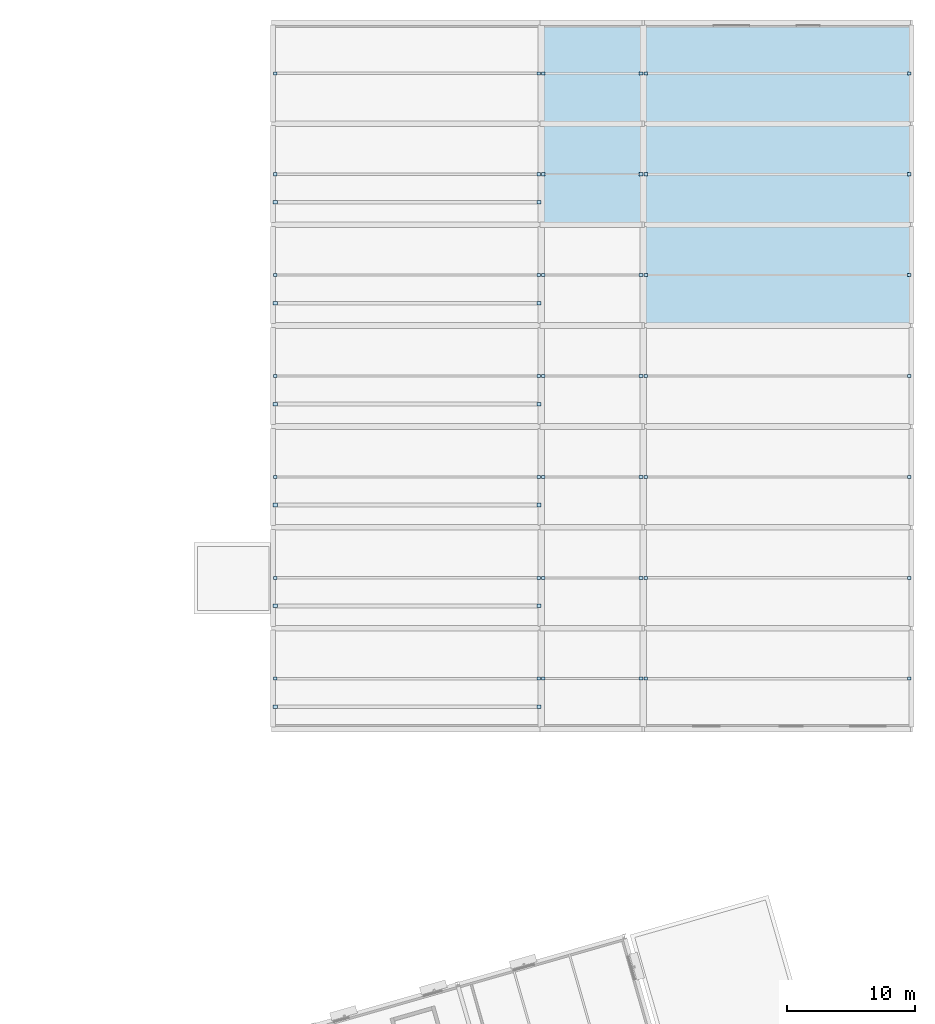
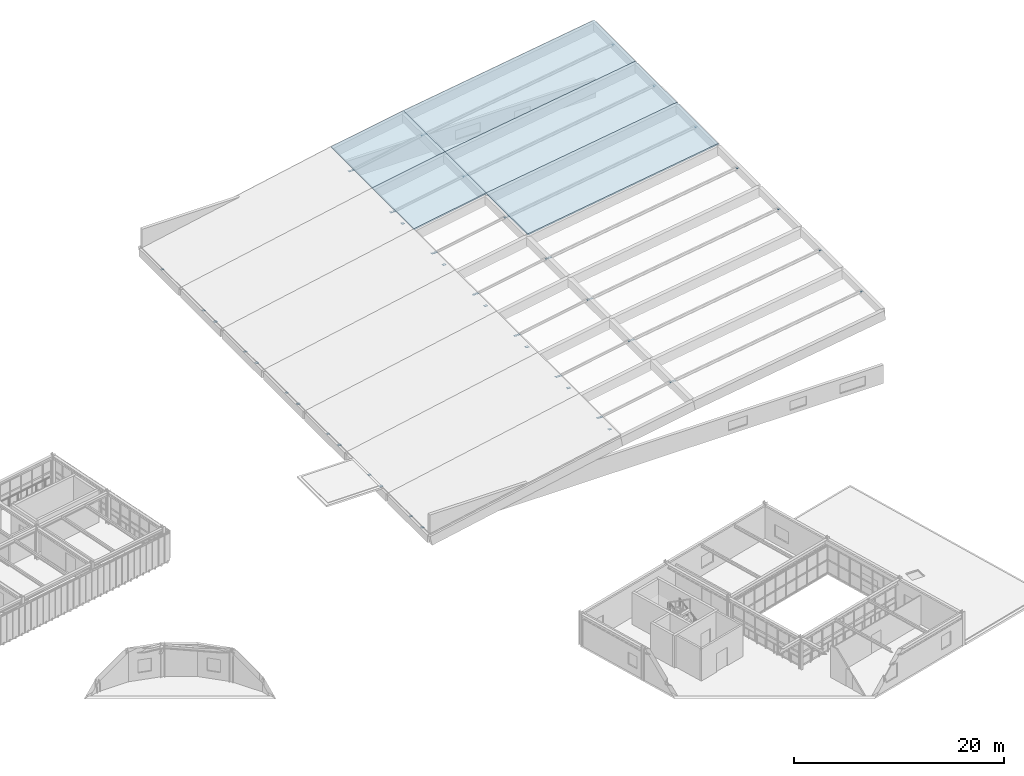
# One storey, part 25 of 44: 54 plates, 5 slabs.
"""IFC4 building model written with IfcOpenShell, lengths in metres."""

from ifc_helpers import new_model, si_unit, direction, frame, origin, origin_2d, place, context, subcontext, project, spatial, polyline, rectangle, outline, extrude, material, layer, layer_set, type_object, element, save


model = new_model("IFC4")

# Units and contexts
model_context = context("Model", 3, precision=1e-05, world=origin(), true_north=direction((0.0, 1.0)))
body_context = subcontext(model_context, "Body", "Model", "MODEL_VIEW")
ifc_project = project(units=[si_unit("LENGTHUNIT", "METRE"), si_unit("AREAUNIT", "SQUARE_METRE"), si_unit("VOLUMEUNIT", "CUBIC_METRE"), si_unit("PLANEANGLEUNIT", "RADIAN"), si_unit("MASSUNIT", "GRAM", prefix="KILO")], contexts=[model_context])

# Site, building, storey
site_placement = place(None, origin())
site = spatial("IfcSite", under=ifc_project, at=site_placement, CompositionType="ELEMENT")
building_placement = place(site_placement, origin())
building = spatial("IfcBuilding", under=site, at=building_placement, Name="Varnklinge Art Gallery", CompositionType="ELEMENT")
storey_placement = place(building_placement, frame((0.0, 0.0, 13.679931640625)))
storey = spatial("IfcBuildingStorey", under=building, at=storey_placement, Name="L03", CompositionType="ELEMENT", Elevation=13.679931640625)

# Plates
ifc_material_1 = material(Name="Steel S355", Category="steel")
ifc_layer_1 = layer(ifc_material_1, 0.02001953125)
ifc_layer_set_1 = layer_set([ifc_layer_1], Name="Steel S355")
plate_type = type_object("IfcPlateType", Name="PLT-GP1", PredefinedType="USERDEFINED", material=ifc_layer_set_1)
for number, where, z_axis, x_axis, name in (
    (1, (114.580078125, 62.14990234375, -0.3798828125), (0.0, 0.0, 1.0), (1.0, 0.0, 0.0), "Shell Rafter End Cleat Plate 1.1.A"),
    (2, (135.219970703125, 62.14990234375, 3.820068359375), (0.0, 0.0, 1.0), (1.0, 0.0, 0.0), "Shell Rafter End Cleat Plate 1.1.B"),
    (3, (114.580078125, 70.050048828125, -0.3798828125), (0.0, 0.0, 1.0), (1.0, 0.0, 0.0), "Shell Rafter End Cleat Plate 2.1.A"),
    (4, (135.219970703125, 70.050048828125, 3.820068359375), (0.0, 0.0, 1.0), (1.0, 0.0, 0.0), "Shell Rafter End Cleat Plate 2.1.B"),
    (5, (114.580078125, 77.949951171875, -0.3798828125), (0.0, 0.0, 1.0), (1.0, 0.0, 0.0), "Shell Rafter End Cleat Plate 3.1.A"),
    (6, (135.219970703125, 77.949951171875, 3.820068359375), (0.0, 0.0, 1.0), (1.0, 0.0, 0.0), "Shell Rafter End Cleat Plate 3.1.B"),
    (7, (114.580078125, 85.85009765625, -0.3798828125), (0.0, 0.0, 1.0), (1.0, 0.0, 0.0), "Shell Rafter End Cleat Plate 4.1.A"),
    (8, (135.219970703125, 85.85009765625, 3.820068359375), (0.0, 0.0, 1.0), (1.0, 0.0, 0.0), "Shell Rafter End Cleat Plate 4.1.B"),
    (9, (114.580078125, 93.75, -0.3798828125), (0.0, 0.0, 1.0), (1.0, 0.0, 0.0), "Shell Rafter End Cleat Plate 5.1.A"),
    (10, (135.219970703125, 93.75, 3.820068359375), (0.0, 0.0, 1.0), (1.0, 0.0, 0.0), "Shell Rafter End Cleat Plate 5.1.B"),
    (11, (114.580078125, 101.64990234375, -0.3798828125), (0.0, 0.0, 1.0), (1.0, 0.0, 0.0), "Shell Rafter End Cleat Plate 6.1.A"),
    (12, (135.219970703125, 101.64990234375, 3.820068359375), (0.0, 0.0, 1.0), (1.0, 0.0, 0.0), "Shell Rafter End Cleat Plate 6.1.B"),
    (13, (114.580078125, 109.550048828125, -0.3798828125), (0.0, 0.0, 1.0), (1.0, 0.0, 0.0), "Shell Rafter End Cleat Plate 7.1.A"),
    (14, (135.219970703125, 109.550048828125, 3.820068359375), (0.0, 0.0, 1.0), (1.0, 0.0, 0.0), "Shell Rafter End Cleat Plate 7.1.B"),
    (15, (135.580078125, 62.14990234375, 3.820068359375), (0.0, 0.0, 1.0), (1.0, 0.0, 0.0), "Shell Rafter End Cleat Plate 1.2.A"),
    (16, (143.219970703125, 62.14990234375, 5.219970703125), (0.0, 0.0, 1.0), (1.0, 0.0, 0.0), "Shell Rafter End Cleat Plate 1.2.B"),
    (17, (135.580078125, 70.050048828125, 3.820068359375), (0.0, 0.0, 1.0), (1.0, 0.0, 0.0), "Shell Rafter End Cleat Plate 2.2.A"),
    (18, (143.219970703125, 70.050048828125, 5.219970703125), (0.0, 0.0, 1.0), (1.0, 0.0, 0.0), "Shell Rafter End Cleat Plate 2.2.B"),
    (19, (135.580078125, 77.949951171875, 3.820068359375), (0.0, 0.0, 1.0), (1.0, 0.0, 0.0), "Shell Rafter End Cleat Plate 3.2.A"),
    (20, (143.219970703125, 77.949951171875, 5.219970703125), (0.0, 0.0, 1.0), (1.0, 0.0, 0.0), "Shell Rafter End Cleat Plate 3.2.B"),
    (21, (135.580078125, 85.85009765625, 3.820068359375), (0.0, 0.0, 1.0), (1.0, 0.0, 0.0), "Shell Rafter End Cleat Plate 4.2.A"),
    (22, (143.219970703125, 85.85009765625, 5.219970703125), (0.0, 0.0, 1.0), (1.0, 0.0, 0.0), "Shell Rafter End Cleat Plate 4.2.B"),
    (23, (135.580078125, 93.75, 3.820068359375), (0.0, 0.0, 1.0), (1.0, 0.0, 0.0), "Shell Rafter End Cleat Plate 5.2.A"),
    (24, (143.219970703125, 93.75, 5.219970703125), (0.0, 0.0, 1.0), (1.0, 0.0, 0.0), "Shell Rafter End Cleat Plate 5.2.B"),
    (25, (135.580078125, 101.64990234375, 3.820068359375), (0.0, 0.0, 1.0), (1.0, 0.0, 0.0), "Shell Rafter End Cleat Plate 6.2.A"),
    (26, (143.219970703125, 101.64990234375, 5.219970703125), (0.0, 0.0, 1.0), (1.0, 0.0, 0.0), "Shell Rafter End Cleat Plate 6.2.B"),
    (27, (135.580078125, 109.550048828125, 3.820068359375), (0.0, 0.0, 1.0), (1.0, 0.0, 0.0), "Shell Rafter End Cleat Plate 7.2.A"),
    (28, (143.219970703125, 109.550048828125, 5.219970703125), (0.0, 0.0, 1.0), (1.0, 0.0, 0.0), "Shell Rafter End Cleat Plate 7.2.B"),
    (29, (143.580078125, 62.14990234375, 5.219970703125), (0.0, 0.0, 1.0), (1.0, 0.0, 0.0), "Shell Rafter End Cleat Plate 1.3.A"),
    (30, (164.219970703125, 62.14990234375, 8.420166015625), (0.0, 0.0, 1.0), (1.0, 0.0, 0.0), "Shell Rafter End Cleat Plate 1.3.B"),
    (31, (143.580078125, 70.050048828125, 5.219970703125), (0.0, 0.0, 1.0), (1.0, 0.0, 0.0), "Shell Rafter End Cleat Plate 2.3.A"),
    (32, (164.219970703125, 70.050048828125, 8.420166015625), (0.0, 0.0, 1.0), (1.0, 0.0, 0.0), "Shell Rafter End Cleat Plate 2.3.B"),
    (33, (143.580078125, 77.949951171875, 5.219970703125), (0.0, 0.0, 1.0), (1.0, 0.0, 0.0), "Shell Rafter End Cleat Plate 3.3.A"),
    (34, (164.219970703125, 77.949951171875, 8.420166015625), (0.0, 0.0, 1.0), (1.0, 0.0, 0.0), "Shell Rafter End Cleat Plate 3.3.B"),
    (35, (143.580078125, 85.85009765625, 5.219970703125), (0.0, 0.0, 1.0), (1.0, 0.0, 0.0), "Shell Rafter End Cleat Plate 4.3.A"),
    (36, (164.219970703125, 85.85009765625, 8.420166015625), (0.0, 0.0, 1.0), (1.0, 0.0, 0.0), "Shell Rafter End Cleat Plate 4.3.B"),
    (37, (143.580078125, 93.75, 5.219970703125), (0.0, 0.0, 1.0), (1.0, 0.0, 0.0), "Shell Rafter End Cleat Plate 5.3.A"),
    (38, (164.219970703125, 93.75, 8.420166015625), (0.0, 0.0, 1.0), (1.0, 0.0, 0.0), "Shell Rafter End Cleat Plate 5.3.B"),
    (39, (143.580078125, 101.64990234375, 5.219970703125), (0.0, 0.0, 1.0), (1.0, 0.0, 0.0), "Shell Rafter End Cleat Plate 6.3.A"),
    (40, (164.219970703125, 101.64990234375, 8.420166015625), (0.0, 0.0, 1.0), (1.0, 0.0, 0.0), "Shell Rafter End Cleat Plate 6.3.B"),
    (41, (143.580078125, 109.550048828125, 5.219970703125), (0.0, 0.0, 1.0), (1.0, 0.0, 0.0), "Shell Rafter End Cleat Plate 7.3.A"),
    (42, (164.219970703125, 109.550048828125, 8.420166015625), (0.0, 0.0, 1.0), (1.0, 0.0, 0.0), "Shell Rafter End Cleat Plate 7.3.B"),
):
    element("IfcPlate", number, at=place(storey_placement, frame(where, z_axis=z_axis, x_axis=x_axis)), inside=storey, type_object=plate_type, Name=name, ObjectType="GUSSET PLATE", PredefinedType="USERDEFINED", context=body_context, shape_type="SweptSolid", body=[
        extrude(rectangle(XDim=0.280029296875, YDim=0.239990234375, at=origin_2d()), origin(), (0.0, 0.0, 1.0), 0.02001953125),
    ])
for number, where, z_axis, x_axis, name in (
    (43, (114.580078125, 59.949951171875, -0.349853515625), (0.0, 0.0, 1.0), (1.0, 0.0, 0.0), "L03 Monitor Chord End Plate 1.A"),
    (44, (135.219970703125, 59.949951171875, 3.85009765625), (0.0, 0.0, 1.0), (1.0, 0.0, 0.0), "L03 Monitor Chord End Plate 1.B"),
    (45, (114.580078125, 67.85009765625, -0.349853515625), (0.0, 0.0, 1.0), (1.0, 0.0, 0.0), "L03 Monitor Chord End Plate 2.A"),
    (46, (135.219970703125, 67.85009765625, 3.85009765625), (0.0, 0.0, 1.0), (1.0, 0.0, 0.0), "L03 Monitor Chord End Plate 2.B"),
    (47, (114.580078125, 75.75, -0.349853515625), (0.0, 0.0, 1.0), (1.0, 0.0, 0.0), "L03 Monitor Chord End Plate 3.A"),
    (48, (135.219970703125, 75.75, 3.85009765625), (0.0, 0.0, 1.0), (1.0, 0.0, 0.0), "L03 Monitor Chord End Plate 3.B"),
    (49, (114.580078125, 83.64990234375, -0.349853515625), (0.0, 0.0, 1.0), (1.0, 0.0, 0.0), "L03 Monitor Chord End Plate 4.A"),
    (50, (135.219970703125, 83.64990234375, 3.85009765625), (0.0, 0.0, 1.0), (1.0, 0.0, 0.0), "L03 Monitor Chord End Plate 4.B"),
    (51, (114.580078125, 91.550048828125, -0.349853515625), (0.0, 0.0, 1.0), (1.0, 0.0, 0.0), "L03 Monitor Chord End Plate 5.A"),
    (52, (135.219970703125, 91.550048828125, 3.85009765625), (0.0, 0.0, 1.0), (1.0, 0.0, 0.0), "L03 Monitor Chord End Plate 5.B"),
    (53, (114.580078125, 99.449951171875, -0.349853515625), (0.0, 0.0, 1.0), (1.0, 0.0, 0.0), "L03 Monitor Chord End Plate 6.A"),
    (54, (135.219970703125, 99.449951171875, 3.85009765625), (0.0, 0.0, 1.0), (1.0, 0.0, 0.0), "L03 Monitor Chord End Plate 6.B"),
):
    element("IfcPlate", number, at=place(storey_placement, frame(where, z_axis=z_axis, x_axis=x_axis)), inside=storey, type_object=plate_type, Name=name, ObjectType="GUSSET PLATE", PredefinedType="USERDEFINED", context=body_context, shape_type="SweptSolid", body=[
        extrude(rectangle(XDim=0.320068359375, YDim=0.280029296875, at=origin_2d()), origin(), (0.0, 0.0, 1.0), 0.02001953125),
    ])

# Slabs
ifc_material_2 = material(Name="Concrete C45/55", Category="concrete")
ifc_layer_2 = layer(ifc_material_2, 0.159912109375)
ifc_layer_set_2 = layer_set([ifc_layer_2], Name="Concrete C45/55")
slab_type = type_object("IfcSlabType", Name="SLB-SHELL16", PredefinedType="ROOF", material=ifc_layer_set_2)
slab_1_placement = place(storey_placement, frame((135.39990234375, 97.699951171875, 4.199951171875), z_axis=(-0.172397832165, 0.0, 0.985027404423), x_axis=(0.985027404423, 0.0, 0.172397832165)))
element("IfcSlab", 55, at=slab_1_placement, inside=storey, type_object=slab_type, Name="Shell Gallery Vault Bay 6 Facet 2", PredefinedType="ROOF", context=body_context, shape_type="SweptSolid", body=[
    extrude(outline(polyline([(0.0, 0.0), (8.121601454005711, 0.0), (8.121601454005711, 7.900146484375), (0.0, 7.900146484375), (0.0, 0.0)])), origin(), (0.0, 0.0, -1.0), 0.159912109375),
])
slab_2_placement = place(storey_placement, frame((135.39990234375, 105.60009765625, 4.199951171875), z_axis=(-0.172397832165, 0.0, 0.985027404423), x_axis=(0.985027404423, 0.0, 0.172397832165)))
element("IfcSlab", 56, at=slab_2_placement, inside=storey, type_object=slab_type, Name="Shell Gallery Vault Bay 7 Facet 2", PredefinedType="ROOF", context=body_context, shape_type="SweptSolid", body=[
    extrude(outline(polyline([(0.0, 0.0), (8.121601454005711, 0.0), (8.121601454005711, 7.899902343750002), (0.0, 7.899902343750002), (0.0, 0.0)])), origin(), (0.0, 0.0, -1.0), 0.159912109375),
])
slab_3_placement = place(storey_placement, frame((143.39990234375, 89.800048828125, 5.60009765625), z_axis=(-0.15063979173, 0.0, 0.988588717894), x_axis=(0.988588717894, 0.0, 0.15063979173)))
element("IfcSlab", 57, at=slab_3_placement, inside=storey, type_object=slab_type, Name="Shell Gallery Vault Bay 5 Facet 3", PredefinedType="ROOF", context=body_context, shape_type="SweptSolid", body=[
    extrude(outline(polyline([(0.0, 0.0), (21.242403053853963, 0.0), (21.242403053853963, 7.89990234375), (0.0, 7.89990234375), (0.0, 0.0)])), origin(), (0.0, 0.0, -1.0), 0.159912109375),
])
slab_4_placement = place(storey_placement, frame((143.39990234375, 97.699951171875, 5.60009765625), z_axis=(-0.15063979173, 0.0, 0.988588717894), x_axis=(0.988588717894, 0.0, 0.15063979173)))
element("IfcSlab", 58, at=slab_4_placement, inside=storey, type_object=slab_type, Name="Shell Gallery Vault Bay 6 Facet 3", PredefinedType="ROOF", context=body_context, shape_type="SweptSolid", body=[
    extrude(outline(polyline([(0.0, 0.0), (21.242403053853963, 0.0), (21.242403053853963, 7.900146484375), (0.0, 7.900146484375), (0.0, 0.0)])), origin(), (0.0, 0.0, -1.0), 0.159912109375),
])
slab_5_placement = place(storey_placement, frame((143.39990234375, 105.60009765625, 5.60009765625), z_axis=(-0.15063979173, 0.0, 0.988588717894), x_axis=(0.988588717894, 0.0, 0.15063979173)))
element("IfcSlab", 59, at=slab_5_placement, inside=storey, type_object=slab_type, Name="Shell Gallery Vault Bay 7 Facet 3", PredefinedType="ROOF", context=body_context, shape_type="SweptSolid", body=[
    extrude(outline(polyline([(0.0, 0.0), (21.242403053853963, 0.0), (21.242403053853963, 7.89990234375), (0.0, 7.89990234375), (0.0, 0.0)])), origin(), (0.0, 0.0, -1.0), 0.159912109375),
])

save(model, "model.ifc")
